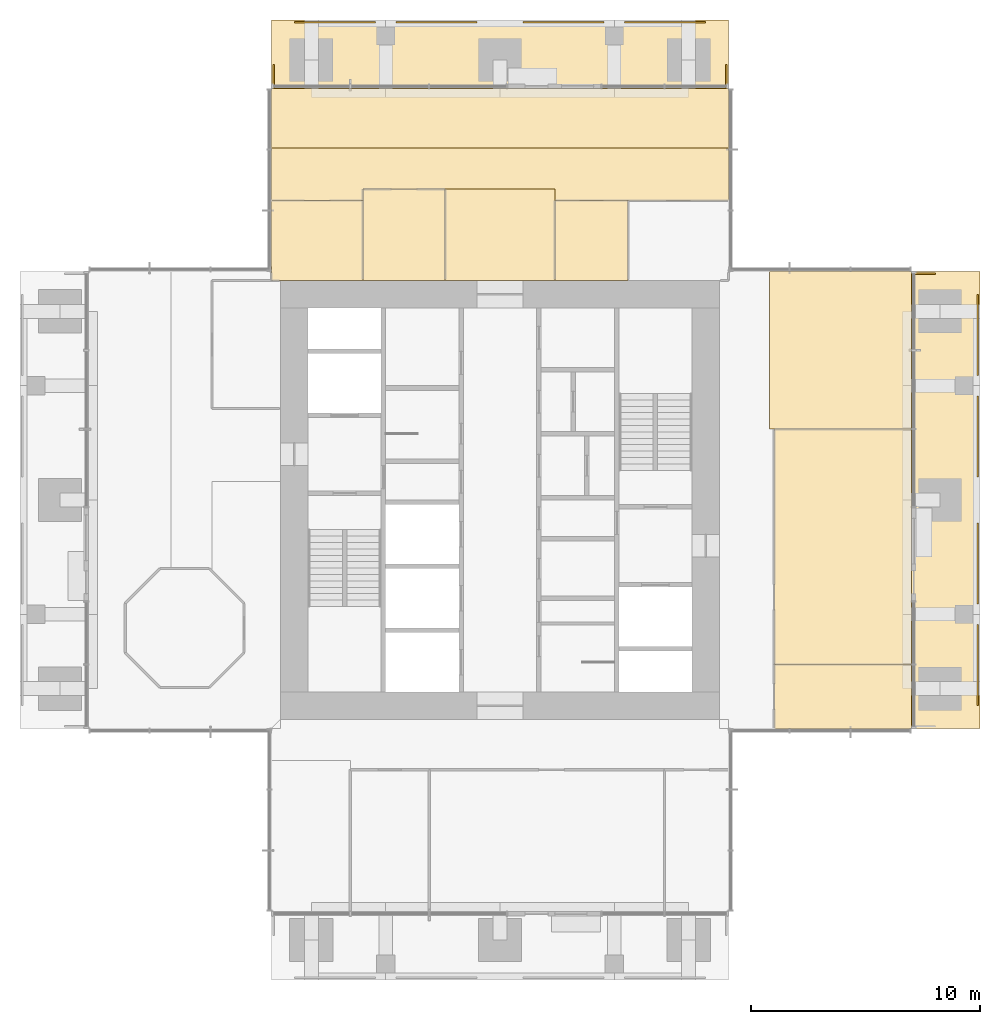
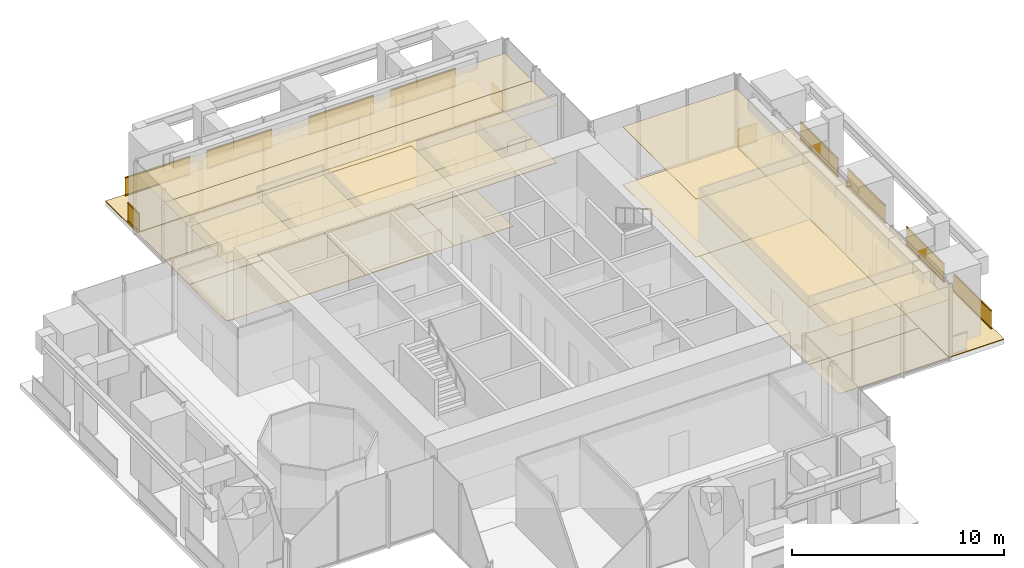
# One storey, part 11 of 12: 20 coverings, 11 railings.
"""IFC4 building model written with IfcOpenShell, lengths in metres."""

import ifcopenshell
import ifcopenshell.guid

model = None  # the IFC model being written
_history = None  # IfcOwnerHistory: only IFC2X3 demands one
_inside = {}  # id of a spatial element -> (the spatial element, [elements in it])
_under = {}  # id of a project, library or spatial element -> (it, [spatial elements below it])
_declared = {}  # id of a project -> (the project, [libraries it declares])
_typed = {}  # id of a type object -> (the type object, [elements of that type])
_made_of = {}  # id of a material, layer set ... -> (it, [elements and type objects made of it])


def new_model(schema):
    """Start an empty IFC model of exactly this schema.

    Asked for "IFC4X3", IfcOpenShell would pick the latest addendum, in which some entities
    have other attributes; the version numbers below select the first issue.
    IFC2X3 requires an IfcOwnerHistory on every rooted entity: one is made here for all.
    """
    global model, _history
    if schema == "IFC4X3":
        model = ifcopenshell.file(schema_version=(4, 3, 0, 0))
    else:
        model = ifcopenshell.file(schema=schema)
    _inside.clear()
    _under.clear()
    _declared.clear()
    _typed.clear()
    _made_of.clear()
    _history = None
    if model.schema == "IFC2X3":
        org = make("IfcOrganization", Name="unknown")
        user = make(
            "IfcPersonAndOrganization",
            ThePerson=make("IfcPerson", FamilyName="unknown"),
            TheOrganization=org,
        )
        app = make(
            "IfcApplication",
            ApplicationDeveloper=org,
            Version="unknown",
            ApplicationFullName="unknown",
            ApplicationIdentifier="unknown",
        )
        _history = make(
            "IfcOwnerHistory",
            OwningUser=user,
            OwningApplication=app,
            ChangeAction="ADDED",
            CreationDate=0,
        )
    return model


def make(cls, **values):
    """One entity of the class cls with the attributes given. An attribute that is None is left unset."""
    return model.create_entity(
        cls, **{name: value for name, value in values.items() if value is not None}
    )


def rooted(cls, **values):
    """An entity with a GlobalId (a new one), such as an element, a storey or a relation."""
    return make(cls, GlobalId=ifcopenshell.guid.new(), OwnerHistory=_history, **values)


def si_unit(unit_type, name, prefix=None):
    """IfcSIUnit, for example si_unit("LENGTHUNIT", "METRE", prefix="MILLI")."""
    return make("IfcSIUnit", UnitType=unit_type, Prefix=prefix, Name=name)


def assignment(units):
    """IfcUnitAssignment: the units of a project."""
    return None if units is None else make("IfcUnitAssignment", Units=units)


def point(xyz):
    """IfcCartesianPoint."""
    return None if xyz is None else make("IfcCartesianPoint", Coordinates=xyz)


def direction(xyz):
    """IfcDirection."""
    return None if xyz is None else make("IfcDirection", DirectionRatios=xyz)


def frame(location, z_axis=None, x_axis=None):
    """IfcAxis2Placement3D, a coordinate frame: its origin and axes. An axis left out is left unset."""
    return make(
        "IfcAxis2Placement3D",
        Location=point(location),
        Axis=direction(z_axis),
        RefDirection=direction(x_axis),
    )


def frame_2d(location, x_axis=None):
    """IfcAxis2Placement2D, a coordinate frame in the plane: its origin and x axis."""
    return make(
        "IfcAxis2Placement2D", Location=point(location), RefDirection=direction(x_axis)
    )


def origin():
    """The frame at (0, 0, 0) with its axes left unset."""
    return frame((0.0, 0.0, 0.0))


def origin_2d():
    """The frame at (0, 0) in the plane with its x axis left unset."""
    return frame_2d((0.0, 0.0))


def place(relative_to, where):
    """IfcLocalPlacement: puts the frame where relative to a parent placement (None: the world)."""
    return make(
        "IfcLocalPlacement", PlacementRelTo=relative_to, RelativePlacement=where
    )


def context(
    kind, dimensions, precision=None, world=None, true_north=None, identifier=None
):
    """IfcGeometricRepresentationContext, for example the 3D "Model" context."""
    return make(
        "IfcGeometricRepresentationContext",
        ContextIdentifier=identifier,
        ContextType=kind,
        CoordinateSpaceDimension=dimensions,
        Precision=precision,
        WorldCoordinateSystem=world,
        TrueNorth=true_north,
    )


def subcontext(parent, identifier, kind, view, scale=None):
    """IfcGeometricRepresentationSubContext, for example "Body" below "Model"."""
    return make(
        "IfcGeometricRepresentationSubContext",
        ContextIdentifier=identifier,
        ContextType=kind,
        ParentContext=parent,
        TargetScale=scale,
        TargetView=view,
    )


def project(units=None, contexts=None):
    """IfcProject with its units and contexts."""
    return rooted(
        "IfcProject",
        Name="project",
        RepresentationContexts=contexts,
        UnitsInContext=assignment(units),
    )


def spatial(cls, under=None, at=None, **own):
    """A site, building, storey or space (cls), placed at a placement, below another one or the project."""
    s = rooted(cls, ObjectPlacement=at, **own)
    if under is not None:
        _under.setdefault(under.id(), (under, []))[1].append(s)
    return s


def polyline(points):
    """IfcPolyline through the points."""
    return make("IfcPolyline", Points=[point(p) for p in points])


def profile(cls, at=None, kind="AREA", **sizes):
    """A parametric profile (cls). Its sizes go by their IFC names, for example OverallWidth=200.0."""
    return make(cls, ProfileType=kind, Position=at, **sizes)


def rectangle(**sizes):
    """IfcRectangleProfileDef."""
    return profile("IfcRectangleProfileDef", **sizes)


def outline(outer, holes=None, kind="AREA"):
    """IfcArbitraryClosedProfileDef: a profile drawn as a closed curve; with holes, ...WithVoids."""
    if holes is None:
        return make("IfcArbitraryClosedProfileDef", ProfileType=kind, OuterCurve=outer)
    return make(
        "IfcArbitraryProfileDefWithVoids",
        ProfileType=kind,
        OuterCurve=outer,
        InnerCurves=holes,
    )


def extrude(swept, where, along, depth):
    """IfcExtrudedAreaSolid: the profile swept, set in the frame where, extruded along a direction by depth."""
    return make(
        "IfcExtrudedAreaSolid",
        SweptArea=swept,
        Position=where,
        ExtrudedDirection=direction(along),
        Depth=depth,
    )


def shape(context_of_items, identifier, shape_type, items):
    """IfcShapeRepresentation: the items that make up one representation, for example the "Body"."""
    return make(
        "IfcShapeRepresentation",
        ContextOfItems=context_of_items,
        RepresentationIdentifier=identifier,
        RepresentationType=shape_type,
        Items=items,
    )


def material(Name=None, Category=None):
    """IfcMaterial."""
    return make("IfcMaterial", Name=Name, Category=Category)


def layer(
    of_material, thickness, ventilated=None, Name=None, Category=None, Priority=None
):
    """IfcMaterialLayer: one layer of a wall or slab, of a material (None: an air gap)."""
    return make(
        "IfcMaterialLayer",
        Material=of_material,
        LayerThickness=thickness,
        IsVentilated=ventilated,
        Name=Name,
        Category=Category,
        Priority=Priority,
    )


def layer_set(layers, Name=None):
    """IfcMaterialLayerSet."""
    return make("IfcMaterialLayerSet", MaterialLayers=layers, LayerSetName=Name)


def made_of(thing, what):
    """Note that an element or type object is made of a material, layer set ...; save() writes the relation."""
    if what is not None:
        _made_of.setdefault(what.id(), (what, []))[1].append(thing)
    return thing


def type_object(cls, material=None, **own):
    """A type object (cls), such as IfcWallType, which elements share."""
    return made_of(rooted(cls, **own), material)


def element(
    cls,
    number,
    at=None,
    inside=None,
    cuts=None,
    type_object=None,
    material=None,
    context=None,
    identifier="Body",
    shape_type=None,
    held_by="IfcProductDefinitionShape",
    body=None,
    shapes=None,
    **own,
):
    """One element of the class cls, such as IfcWall. Its Tag is "e" and its number.

    at: its placement. inside: the storey or other place that contains it. cuts: it is an
    opening in that element (IfcRelVoidsElement). A single representation is given by context,
    identifier, shape_type and body (its items); several are given by shapes. held_by: the class
    of the entity that holds the representations. save() writes the other relations.
    """
    e = rooted(cls, Tag="e%d" % number, ObjectPlacement=at, **own)
    if body is not None:
        shapes = [shape(context, identifier, shape_type, body)]
    if shapes is not None:
        e.Representation = make(held_by, Representations=shapes)
    if inside is not None:
        _inside.setdefault(inside.id(), (inside, []))[1].append(e)
    if cuts is not None:
        rooted(
            "IfcRelVoidsElement", RelatingBuildingElement=cuts, RelatedOpeningElement=e
        )
    if type_object is not None:
        _typed.setdefault(type_object.id(), (type_object, []))[1].append(e)
    return made_of(e, material)


def aggregate(whole, parts):
    """IfcRelAggregates: a whole, such as a stair, and the parts it consists of."""
    return rooted("IfcRelAggregates", RelatingObject=whole, RelatedObjects=parts)


def save(model, path):
    """Write the relations noted so far, then the file.

    IfcRelAggregates (storeys below a building ...), IfcRelContainedInSpatialStructure (elements
    in a storey), IfcRelDefinesByType, IfcRelAssociatesMaterial and IfcRelDeclares: one each for
    every whole, place, type object, material and project.
    """
    for whole, parts in _under.values():
        aggregate(whole, parts)
    for where, things in _inside.values():
        rooted(
            "IfcRelContainedInSpatialStructure",
            RelatedElements=things,
            RelatingStructure=where,
        )
    for kind, things in _typed.values():
        rooted("IfcRelDefinesByType", RelatedObjects=things, RelatingType=kind)
    for what, things in _made_of.values():
        rooted("IfcRelAssociatesMaterial", RelatedObjects=things, RelatingMaterial=what)
    for by, libraries in _declared.values():
        rooted("IfcRelDeclares", RelatingContext=by, RelatedDefinitions=libraries)
    model.write(path)


model = new_model("IFC4")

# Units and contexts
model_context = context("Model", 3, precision=1e-05, world=origin(), true_north=direction((0.0, 1.0)))
body_context = subcontext(model_context, "Body", "Model", "MODEL_VIEW")
ifc_project = project(units=[si_unit("LENGTHUNIT", "METRE"), si_unit("AREAUNIT", "SQUARE_METRE"), si_unit("VOLUMEUNIT", "CUBIC_METRE"), si_unit("PLANEANGLEUNIT", "RADIAN"), si_unit("MASSUNIT", "GRAM", prefix="KILO")], contexts=[model_context])

# Site, building, storey
site_placement = place(None, origin())
site = spatial("IfcSite", under=ifc_project, at=site_placement, CompositionType="ELEMENT")
building_placement = place(site_placement, origin())
building = spatial("IfcBuilding", under=site, at=building_placement, Name="Svetlomir Tower", CompositionType="ELEMENT")
storey_placement = place(building_placement, frame((0.0, 0.0, 269.199951171875)))
storey = spatial("IfcBuildingStorey", under=building, at=storey_placement, Name="L64", CompositionType="ELEMENT", Elevation=269.199951171875)

# Railings
ifc_material_1 = material(Name="Bronze anodised aluminium and laminated glass", Category="aluminium")
railing_type = type_object("IfcRailingType", Name="BALCONY GUARD GR1 1100", PredefinedType="GUARDRAIL", material=ifc_material_1)
for number, where, name in (
    (1, (41.89990234375, 12.0, 0.0), "Loggia guard E L64 bay 1"),
    (2, (41.89990234375, 16.449951171875, 0.0), "Loggia guard E L64 bay 2"),
    (3, (41.89990234375, 22.0, 0.0), "Loggia guard E L64 bay 3"),
    (4, (41.89990234375, 26.449951171875, 0.0), "Loggia guard E L64 bay 4"),
):
    element("IfcRailing", number, at=place(storey_placement, frame(where)), inside=storey, type_object=railing_type, Name=name, PredefinedType="GUARDRAIL", context=body_context, shape_type="SweptSolid", body=[
        extrude(rectangle(XDim=0.06005859375, YDim=0.10009765625, at=origin_2d()), frame((0.0, 0.0, 0.050048828125), z_axis=(0.0, 1.0, 0.0), x_axis=(-1.0, 0.0, 0.0)), (0.0, 0.0, 1.0), 3.550048828125),
        extrude(rectangle(XDim=0.021484375, YDim=0.960205078125, at=origin_2d()), frame((0.0, 0.0, 0.580078125), z_axis=(0.0, 1.0, 0.0), x_axis=(-1.0, 0.0, 0.0)), (0.0, 0.0, 1.0), 3.550048828125),
        extrude(rectangle(XDim=0.06005859375, YDim=0.0400390625, at=origin_2d()), frame((0.0, 0.0, 1.080078125), z_axis=(0.0, 1.0, 0.0), x_axis=(-1.0, 0.0, 0.0)), (0.0, 0.0, 1.0), 3.550048828125),
    ])
railing_placement = place(storey_placement, frame((40.050048828125, 30.89990234375, 0.0)))
element("IfcRailing", 5, at=railing_placement, inside=storey, type_object=railing_type, Name="Loggia guard E L64 end 2", PredefinedType="GUARDRAIL", context=body_context, shape_type="SweptSolid", body=[
    extrude(rectangle(XDim=0.06005859375, YDim=0.10009765625, at=origin_2d()), frame((0.0, 0.0, 0.050048828125), z_axis=(-1.0, 0.0, 0.0), x_axis=(0.0, -1.0, 0.0)), (0.0, 0.0, 1.0), 1.050048828125),
    extrude(rectangle(XDim=0.021484375, YDim=0.960205078125, at=origin_2d()), frame((0.0, 0.0, 0.580078125), z_axis=(-1.0, 0.0, 0.0), x_axis=(0.0, -1.0, 0.0)), (0.0, 0.0, 1.0), 1.050048828125),
    extrude(rectangle(XDim=0.06005859375, YDim=0.0400390625, at=origin_2d()), frame((0.0, 0.0, 1.080078125), z_axis=(-1.0, 0.0, 0.0), x_axis=(0.0, -1.0, 0.0)), (0.0, 0.0, 1.0), 1.050048828125),
])
for number, where, name in (
    (6, (12.0, 41.89990234375, 0.0), "Loggia guard N L64 bay 1"),
    (7, (16.449951171875, 41.89990234375, 0.0), "Loggia guard N L64 bay 2"),
    (8, (22.0, 41.89990234375, 0.0), "Loggia guard N L64 bay 3"),
    (9, (26.449951171875, 41.89990234375, 0.0), "Loggia guard N L64 bay 4"),
):
    element("IfcRailing", number, at=place(storey_placement, frame(where)), inside=storey, type_object=railing_type, Name=name, PredefinedType="GUARDRAIL", context=body_context, shape_type="SweptSolid", body=[
        extrude(rectangle(XDim=0.06005859375, YDim=0.10009765625, at=origin_2d()), frame((0.0, 0.0, 0.050048828125), z_axis=(1.0, 0.0, 0.0), x_axis=(0.0, 1.0, 0.0)), (0.0, 0.0, 1.0), 3.550048828125),
        extrude(rectangle(XDim=0.021484375, YDim=0.960205078125, at=origin_2d()), frame((0.0, 0.0, 0.580078125), z_axis=(1.0, 0.0, 0.0), x_axis=(0.0, 1.0, 0.0)), (0.0, 0.0, 1.0), 3.550048828125),
        extrude(rectangle(XDim=0.06005859375, YDim=0.0400390625, at=origin_2d()), frame((0.0, 0.0, 1.080078125), z_axis=(1.0, 0.0, 0.0), x_axis=(0.0, 1.0, 0.0)), (0.0, 0.0, 1.0), 3.550048828125),
    ])
for number, where, name in (
    (10, (11.10009765625, 40.050048828125, 0.0), "Loggia guard N L64 end 1"),
    (11, (30.89990234375, 40.050048828125, 0.0), "Loggia guard N L64 end 2"),
):
    element("IfcRailing", number, at=place(storey_placement, frame(where)), inside=storey, type_object=railing_type, Name=name, PredefinedType="GUARDRAIL", context=body_context, shape_type="SweptSolid", body=[
        extrude(rectangle(XDim=0.06005859375, YDim=0.10009765625, at=origin_2d()), frame((0.0, 0.0, 0.050048828125), z_axis=(0.0, -1.0, 0.0), x_axis=(1.0, 0.0, 0.0)), (0.0, 0.0, 1.0), 1.050048828125),
        extrude(rectangle(XDim=0.021484375, YDim=0.960205078125, at=origin_2d()), frame((0.0, 0.0, 0.580078125), z_axis=(0.0, -1.0, 0.0), x_axis=(1.0, 0.0, 0.0)), (0.0, 0.0, 1.0), 1.050048828125),
        extrude(rectangle(XDim=0.06005859375, YDim=0.0400390625, at=origin_2d()), frame((0.0, 0.0, 1.080078125), z_axis=(0.0, -1.0, 0.0), x_axis=(1.0, 0.0, 0.0)), (0.0, 0.0, 1.0), 1.050048828125),
    ])

# Coverings
ifc_material_2 = material(Name="Granite paving slabs on pedestals", Category="masonry")
ifc_layer_1 = layer(ifc_material_2, 0.0400390625)
ifc_layer_set_1 = layer_set([ifc_layer_1], Name="Granite paving slabs on pedestals")
covering_type_1 = type_object("IfcCoveringType", Name="BALCONY PAVING 40", PredefinedType="USERDEFINED", material=ifc_layer_set_1)
covering_1_placement = place(storey_placement, origin())
element("IfcCovering", 12, at=covering_1_placement, inside=storey, type_object=covering_type_1, Name="Loggia paving E L64", ObjectType="BALCONY PAVING", PredefinedType="USERDEFINED", context=body_context, shape_type="SweptSolid", body=[
    extrude(outline(polyline([(39.0, 11.0), (42.0, 11.0), (42.0, 31.0), (39.0, 31.0), (39.0, 11.0)])), origin(), (0.0, 0.0, 1.0), 0.0400390625),
])
covering_2_placement = place(storey_placement, origin())
element("IfcCovering", 13, at=covering_2_placement, inside=storey, type_object=covering_type_1, Name="Loggia paving N L64", ObjectType="BALCONY PAVING", PredefinedType="USERDEFINED", context=body_context, shape_type="SweptSolid", body=[
    extrude(outline(polyline([(11.0, 39.0), (31.0, 39.0), (31.0, 42.0), (11.0, 42.0), (11.0, 39.0)])), origin(), (0.0, 0.0, 1.0), 0.0400390625),
])
ifc_material_3 = material(Name="Engineered oak floor", Category="wood")
ifc_layer_2 = layer(ifc_material_3, 0.02001953125)
ifc_layer_set_2 = layer_set([ifc_layer_2], Name="Engineered oak floor")
covering_type_2 = type_object("IfcCoveringType", Name="OAK FLOOR 20", PredefinedType="FLOORING", material=ifc_layer_set_2)
covering_3_placement = place(storey_placement, origin())
element("IfcCovering", 14, at=covering_3_placement, inside=storey, type_object=covering_type_2, Name="Floor finish L64-21", PredefinedType="FLOORING", context=body_context, shape_type="SweptSolid", body=[
    extrude(outline(polyline([(33.0, 11.0), (39.0, 11.0), (39.0, 13.800048828125), (33.0, 13.800048828125), (33.0, 11.0)])), origin(), (0.0, 0.0, 1.0), 0.02001953125),
])
covering_4_placement = place(storey_placement, origin())
element("IfcCovering", 15, at=covering_4_placement, inside=storey, type_object=covering_type_2, Name="Floor finish L64-22", PredefinedType="FLOORING", context=body_context, shape_type="SweptSolid", body=[
    extrude(outline(polyline([(33.0, 13.800048828125), (39.0, 13.800048828125), (39.0, 24.10009765625), (33.0, 24.10009765625), (33.0, 13.800048828125)])), origin(), (0.0, 0.0, 1.0), 0.02001953125),
])
covering_5_placement = place(storey_placement, origin())
element("IfcCovering", 16, at=covering_5_placement, inside=storey, type_object=covering_type_2, Name="Floor finish L64-23", PredefinedType="FLOORING", context=body_context, shape_type="SweptSolid", body=[
    extrude(outline(polyline([(11.0, 30.60009765625), (15.0, 30.60009765625), (15.0, 34.10009765625), (11.0, 34.10009765625), (11.0, 30.60009765625)])), origin(), (0.0, 0.0, 1.0), 0.02001953125),
])
covering_6_placement = place(storey_placement, origin())
element("IfcCovering", 17, at=covering_6_placement, inside=storey, type_object=covering_type_2, Name="Floor finish L64-24", PredefinedType="FLOORING", context=body_context, shape_type="SweptSolid", body=[
    extrude(outline(polyline([(15.0, 30.60009765625), (18.60009765625, 30.60009765625), (18.60009765625, 34.60009765625), (15.0, 34.60009765625), (15.0, 30.60009765625)])), origin(), (0.0, 0.0, 1.0), 0.02001953125),
])
covering_7_placement = place(storey_placement, origin())
element("IfcCovering", 18, at=covering_7_placement, inside=storey, type_object=covering_type_2, Name="Floor finish L64-25", PredefinedType="FLOORING", context=body_context, shape_type="SweptSolid", body=[
    extrude(outline(polyline([(23.39990234375, 30.60009765625), (26.60009765625, 30.60009765625), (26.60009765625, 34.10009765625), (23.39990234375, 34.10009765625), (23.39990234375, 30.60009765625)])), origin(), (0.0, 0.0, 1.0), 0.02001953125),
])
covering_8_placement = place(storey_placement, origin())
element("IfcCovering", 19, at=covering_8_placement, inside=storey, type_object=covering_type_2, Name="Floor finish L64-30", PredefinedType="FLOORING", context=body_context, shape_type="SweptSolid", body=[
    extrude(outline(polyline([(31.0, 34.10009765625), (23.39990234375, 34.10009765625), (23.39990234375, 34.60009765625), (15.0, 34.60009765625), (15.0, 34.10009765625), (11.0, 34.10009765625), (11.0, 36.39990234375), (31.0, 36.39990234375), (31.0, 34.10009765625)])), origin(), (0.0, 0.0, 1.0), 0.02001953125),
])
covering_9_placement = place(storey_placement, origin())
element("IfcCovering", 20, at=covering_9_placement, inside=storey, type_object=covering_type_2, Name="Floor finish L64-34", PredefinedType="FLOORING", context=body_context, shape_type="SweptSolid", body=[
    extrude(outline(polyline([(39.0, 24.10009765625), (32.800048828125, 24.10009765625), (32.800048828125, 31.0), (39.0, 31.0), (39.0, 24.10009765625)])), origin(), (0.0, 0.0, 1.0), 0.02001953125),
])
covering_10_placement = place(storey_placement, origin())
element("IfcCovering", 21, at=covering_10_placement, inside=storey, type_object=covering_type_2, Name="Floor finish L64-35", PredefinedType="FLOORING", context=body_context, shape_type="SweptSolid", body=[
    extrude(outline(polyline([(18.60009765625, 30.60009765625), (18.60009765625, 34.60009765625), (23.39990234375, 34.60009765625), (23.39990234375, 30.60009765625), (18.60009765625, 30.60009765625)])), origin(), (0.0, 0.0, 1.0), 0.02001953125),
])
covering_11_placement = place(storey_placement, origin())
element("IfcCovering", 22, at=covering_11_placement, inside=storey, type_object=covering_type_2, Name="Floor finish L64-36", PredefinedType="FLOORING", context=body_context, shape_type="SweptSolid", body=[
    extrude(outline(polyline([(31.0, 39.0), (31.0, 36.39990234375), (11.0, 36.39990234375), (11.0, 39.0), (31.0, 39.0)])), origin(), (0.0, 0.0, 1.0), 0.02001953125),
])
ifc_material_4 = material(Name="Mineral fibre ceiling tile", Category="mineral")
ifc_layer_3 = layer(ifc_material_4, 0.02001953125)
ifc_layer_set_3 = layer_set([ifc_layer_3], Name="Mineral fibre ceiling tile")
covering_type_3 = type_object("IfcCoveringType", Name="SUSPENDED CEILING 20", PredefinedType="CEILING", material=ifc_layer_set_3)
covering_12_placement = place(storey_placement, frame((0.0, 0.0, 3.330078125)))
element("IfcCovering", 23, at=covering_12_placement, inside=storey, type_object=covering_type_3, Name="Ceiling L64-21", PredefinedType="CEILING", context=body_context, shape_type="SweptSolid", body=[
    extrude(outline(polyline([(33.0, 11.0), (39.0, 11.0), (39.0, 13.800048828125), (33.0, 13.800048828125), (33.0, 11.0)])), origin(), (0.0, 0.0, 1.0), 0.02001953125),
])
covering_13_placement = place(storey_placement, frame((0.0, 0.0, 3.330078125)))
element("IfcCovering", 24, at=covering_13_placement, inside=storey, type_object=covering_type_3, Name="Ceiling L64-22", PredefinedType="CEILING", context=body_context, shape_type="SweptSolid", body=[
    extrude(outline(polyline([(33.0, 13.800048828125), (39.0, 13.800048828125), (39.0, 24.10009765625), (33.0, 24.10009765625), (33.0, 13.800048828125)])), origin(), (0.0, 0.0, 1.0), 0.02001953125),
])
covering_14_placement = place(storey_placement, frame((0.0, 0.0, 3.330078125)))
element("IfcCovering", 25, at=covering_14_placement, inside=storey, type_object=covering_type_3, Name="Ceiling L64-23", PredefinedType="CEILING", context=body_context, shape_type="SweptSolid", body=[
    extrude(outline(polyline([(11.0, 30.60009765625), (15.0, 30.60009765625), (15.0, 34.10009765625), (11.0, 34.10009765625), (11.0, 30.60009765625)])), origin(), (0.0, 0.0, 1.0), 0.02001953125),
])
covering_15_placement = place(storey_placement, frame((0.0, 0.0, 3.330078125)))
element("IfcCovering", 26, at=covering_15_placement, inside=storey, type_object=covering_type_3, Name="Ceiling L64-24", PredefinedType="CEILING", context=body_context, shape_type="SweptSolid", body=[
    extrude(outline(polyline([(15.0, 30.60009765625), (18.60009765625, 30.60009765625), (18.60009765625, 34.60009765625), (15.0, 34.60009765625), (15.0, 30.60009765625)])), origin(), (0.0, 0.0, 1.0), 0.02001953125),
])
covering_16_placement = place(storey_placement, frame((0.0, 0.0, 3.330078125)))
element("IfcCovering", 27, at=covering_16_placement, inside=storey, type_object=covering_type_3, Name="Ceiling L64-25", PredefinedType="CEILING", context=body_context, shape_type="SweptSolid", body=[
    extrude(outline(polyline([(23.39990234375, 30.60009765625), (26.60009765625, 30.60009765625), (26.60009765625, 34.10009765625), (23.39990234375, 34.10009765625), (23.39990234375, 30.60009765625)])), origin(), (0.0, 0.0, 1.0), 0.02001953125),
])
covering_17_placement = place(storey_placement, frame((0.0, 0.0, 3.330078125)))
element("IfcCovering", 28, at=covering_17_placement, inside=storey, type_object=covering_type_3, Name="Ceiling L64-30", PredefinedType="CEILING", context=body_context, shape_type="SweptSolid", body=[
    extrude(outline(polyline([(31.0, 34.10009765625), (23.39990234375, 34.10009765625), (23.39990234375, 34.60009765625), (15.0, 34.60009765625), (15.0, 34.10009765625), (11.0, 34.10009765625), (11.0, 36.39990234375), (31.0, 36.39990234375), (31.0, 34.10009765625)])), origin(), (0.0, 0.0, 1.0), 0.02001953125),
])
covering_18_placement = place(storey_placement, frame((0.0, 0.0, 3.330078125)))
element("IfcCovering", 29, at=covering_18_placement, inside=storey, type_object=covering_type_3, Name="Ceiling L64-34", PredefinedType="CEILING", context=body_context, shape_type="SweptSolid", body=[
    extrude(outline(polyline([(39.0, 24.10009765625), (32.800048828125, 24.10009765625), (32.800048828125, 31.0), (39.0, 31.0), (39.0, 24.10009765625)])), origin(), (0.0, 0.0, 1.0), 0.02001953125),
])
covering_19_placement = place(storey_placement, frame((0.0, 0.0, 3.330078125)))
element("IfcCovering", 30, at=covering_19_placement, inside=storey, type_object=covering_type_3, Name="Ceiling L64-35", PredefinedType="CEILING", context=body_context, shape_type="SweptSolid", body=[
    extrude(outline(polyline([(18.60009765625, 30.60009765625), (18.60009765625, 34.60009765625), (23.39990234375, 34.60009765625), (23.39990234375, 30.60009765625), (18.60009765625, 30.60009765625)])), origin(), (0.0, 0.0, 1.0), 0.02001953125),
])
covering_20_placement = place(storey_placement, frame((0.0, 0.0, 3.330078125)))
element("IfcCovering", 31, at=covering_20_placement, inside=storey, type_object=covering_type_3, Name="Ceiling L64-36", PredefinedType="CEILING", context=body_context, shape_type="SweptSolid", body=[
    extrude(outline(polyline([(31.0, 39.0), (31.0, 36.39990234375), (11.0, 36.39990234375), (11.0, 39.0), (31.0, 39.0)])), origin(), (0.0, 0.0, 1.0), 0.02001953125),
])

save(model, "model.ifc")
